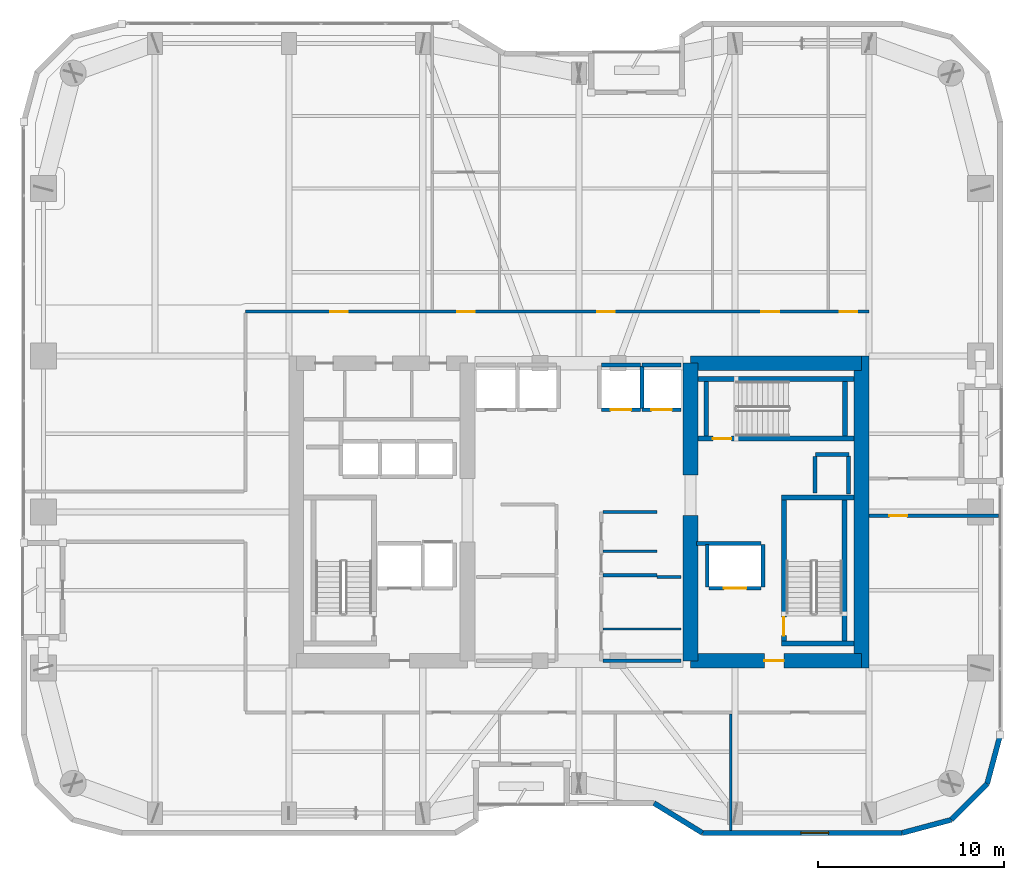
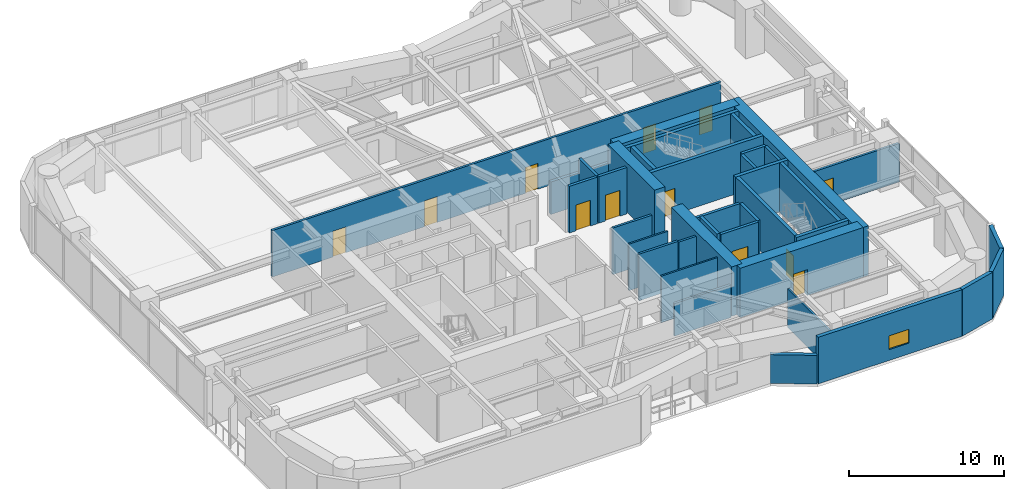
# One storey, part 26 of 30: 39 walls, 12 doors, 1 window, 13 openings.
"""IFC4 building model written with IfcOpenShell, lengths in metres."""

from ifc_helpers import new_model, si_unit, direction, frame, frame_2d, origin, place, context, subcontext, project, spatial, rectangle, extrude, material, layer, layer_set, type_object, element, fill, save


model = new_model("IFC4")

# Units and contexts
model_context = context("Model", 3, precision=1e-05, world=origin(), true_north=direction((0.0, 1.0)))
body_context = subcontext(model_context, "Body", "Model", "MODEL_VIEW")
ifc_project = project(units=[si_unit("LENGTHUNIT", "METRE"), si_unit("AREAUNIT", "SQUARE_METRE"), si_unit("VOLUMEUNIT", "CUBIC_METRE"), si_unit("PLANEANGLEUNIT", "RADIAN"), si_unit("MASSUNIT", "GRAM", prefix="KILO")], contexts=[model_context])

# Site, building, storey
site_placement = place(None, origin())
site = spatial("IfcSite", under=ifc_project, at=site_placement, CompositionType="ELEMENT")
building_placement = place(site_placement, origin())
building = spatial("IfcBuilding", under=site, at=building_placement, Name="Kiyonajd Concourse Tower", CompositionType="ELEMENT")
storey_placement = place(building_placement, frame((0.0, 0.0, 154.5)))
storey = spatial("IfcBuildingStorey", under=building, at=storey_placement, Name="L39", CompositionType="ELEMENT", Elevation=154.5)

# Walls
ifc_material_1 = material(Name="Concrete C70/85", Category="concrete")
ifc_layer_1 = layer(ifc_material_1, 0.800048828125)
ifc_layer_set_1 = layer_set([ifc_layer_1], Name="Concrete C70/85")
wall_type_1 = type_object("IfcWallType", Name="WL-CORE-800", PredefinedType="SHEAR", material=ifc_layer_set_1)
wall_1_placement = place(storey_placement, frame((54.0, 28.0, 0.0), z_axis=(0.0, 0.0, 1.0), x_axis=(0.0, 1.0, 0.0)))
element("IfcWall", 1, at=wall_1_placement, inside=storey, type_object=wall_type_1, Name="L39 East Core Inner South Shear Wall", PredefinedType="SHEAR", context=body_context, shape_type="SweptSolid", body=[
    extrude(rectangle(XDim=7.800048828125, YDim=0.800048828125, at=frame_2d((3.89990234375, 0.0))), origin(), (0.0, 0.0, 1.0), 3.89990234375),
])
wall_2_placement = place(storey_placement, frame((54.0, 38.0, 0.0), z_axis=(0.0, 0.0, 1.0), x_axis=(0.0, 1.0, 0.0)))
element("IfcWall", 2, at=wall_2_placement, inside=storey, type_object=wall_type_1, Name="L39 East Core Inner North Shear Wall", PredefinedType="SHEAR", context=body_context, shape_type="SweptSolid", body=[
    extrude(rectangle(XDim=6.0, YDim=0.800048828125, at=frame_2d((3.0, 0.0))), origin(), (0.0, 0.0, 1.0), 3.89990234375),
])
wall_3_placement = place(storey_placement, frame((63.199951171875, 27.60009765625, 0.0), z_axis=(0.0, 0.0, 1.0), x_axis=(0.0, 1.0, 0.0)))
element("IfcWall", 3, at=wall_3_placement, inside=storey, type_object=wall_type_1, Name="L39 East Core Outer Shear Wall", PredefinedType="SHEAR", context=body_context, shape_type="SweptSolid", body=[
    extrude(rectangle(XDim=16.7998046875, YDim=0.800048828125, at=frame_2d((8.39990234375, 0.0))), origin(), (0.0, 0.0, 1.0), 3.89990234375),
])

# Wall, opening, door
wall_4_placement = place(storey_placement, frame((54.0, 28.0, 0.0), z_axis=(0.0, 0.0, 1.0), x_axis=(1.0, 0.0, 0.0)))
wall_4 = element("IfcWall", 4, at=wall_4_placement, inside=storey, type_object=wall_type_1, Name="L39 East Core South Shear Wall", PredefinedType="SHEAR", context=body_context, shape_type="SweptSolid", body=[
    extrude(rectangle(XDim=9.199951171875, YDim=0.800048828125, at=frame_2d((4.60009765625, 0.0))), origin(), (0.0, 0.0, 1.0), 3.89990234375),
])
opening_1_placement = place(wall_4_placement, frame((3.97509765625, 0.0, 0.0)))
opening_1 = element("IfcOpeningElement", 5, at=opening_1_placement, cuts=wall_4, Name="Opening DF5", PredefinedType="OPENING", context=body_context, shape_type="SweptSolid", body=[
    extrude(rectangle(XDim=1.050048828125, YDim=2.0400390625, at=frame_2d((0.52490234375, 1.02001953125))), frame((0.0, 0.409912109375, 0.0), z_axis=(0.0, -1.0, 0.0), x_axis=(1.0, 0.0, 0.0)), (0.0, 0.0, 1.0), 0.820068359375),
])
ifc_material_2 = material(Name="Brushed Stainless Steel Cab Assembly", Category="steel")
door_type_1 = type_object("IfcDoorType", Name="DR-FD45-1050", OperationType="NOTDEFINED", PredefinedType="DOOR", material=ifc_material_2)
door_1_placement = place(opening_1_placement, origin())
door_1 = element("IfcDoor", 6, at=door_1_placement, inside=storey, type_object=door_type_1, Name="L39 Firefighting Lift Lobby E Smoke Door", OperationType="SINGLE_SWING_RIGHT", OverallHeight=2.0400390625, OverallWidth=1.050048828125, PredefinedType="DOOR", context=body_context, shape_type="SweptSolid", body=[
    extrude(rectangle(XDim=1.050048828125, YDim=2.0400390625, at=frame_2d((0.52490234375, 1.02001953125))), frame((0.0, 0.02490234375, 0.0), z_axis=(0.0, -1.0, 0.0), x_axis=(1.0, 0.0, 0.0)), (0.0, 0.0, 1.0), 0.050048828125),
])
fill(opening_1, door_1)

# Walls
wall_5_placement = place(storey_placement, frame((54.0, 44.0, 0.0), z_axis=(0.0, 0.0, 1.0), x_axis=(1.0, 0.0, 0.0)))
element("IfcWall", 7, at=wall_5_placement, inside=storey, type_object=wall_type_1, Name="L39 East Core North Shear Wall", PredefinedType="SHEAR", context=body_context, shape_type="SweptSolid", body=[
    extrude(rectangle(XDim=9.199951171875, YDim=0.800048828125, at=frame_2d((4.60009765625, 0.0))), origin(), (0.0, 0.0, 1.0), 3.89990234375),
])
ifc_material_3 = material(Name="Precast concrete C50/60", Category="concrete")
ifc_layer_2 = layer(ifc_material_3, 0.280029296875)
ifc_layer_set_2 = layer_set([ifc_layer_2], Name="Precast concrete C50/60")
wall_type_2 = type_object("IfcWallType", Name="WL-EXT-280", PredefinedType="SOLIDWALL", material=ifc_layer_set_2)
wall_6_placement = place(storey_placement, frame((70.659912109375, 24.018310546875, 0.0), z_axis=(0.0, 0.0, 1.0), x_axis=(-0.258672222976, -0.9659651552, 0.0)))
element("IfcWall", 8, at=wall_6_placement, inside=storey, type_object=wall_type_2, Name="L39 Exterior Concrete Frame Wall 25", PredefinedType="SOLIDWALL", context=body_context, shape_type="SweptSolid", body=[
    extrude(rectangle(XDim=2.739013671875, YDim=0.280029296875, at=frame_2d((1.36962890625, 0.0))), origin(), (0.0, 0.0, 1.0), 3.679931640625),
])
wall_7_placement = place(storey_placement, frame((69.951416015625, 21.37255859375, 0.0), z_axis=(0.0, 0.0, 1.0), x_axis=(-0.707061915429, -0.707151644098, 0.0)))
element("IfcWall", 9, at=wall_7_placement, inside=storey, type_object=wall_type_2, Name="L39 Exterior Concrete Frame Wall 26", PredefinedType="SOLIDWALL", context=body_context, shape_type="SweptSolid", body=[
    extrude(rectangle(XDim=2.720947265625, YDim=0.280029296875, at=frame_2d((1.3603515625, 0.0))), origin(), (0.0, 0.0, 1.0), 3.679931640625),
])
wall_8_placement = place(storey_placement, frame((68.027587890625, 19.448486328125, 0.0), z_axis=(0.0, 0.0, 1.0), x_axis=(-0.965971118627, -0.258649952598, 0.0)))
element("IfcWall", 10, at=wall_8_placement, inside=storey, type_object=wall_type_2, Name="L39 Exterior Concrete Frame Wall 27", PredefinedType="SOLIDWALL", context=body_context, shape_type="SweptSolid", body=[
    extrude(rectangle(XDim=2.7392578125, YDim=0.280029296875, at=frame_2d((1.36962890625, 0.0))), origin(), (0.0, 0.0, 1.0), 3.679931640625),
])

# Wall, opening, window
wall_9_placement = place(storey_placement, frame((65.381591796875, 18.739990234375, 0.0), z_axis=(0.0, 0.0, 1.0), x_axis=(-1.0, 0.0, 0.0)))
wall_9 = element("IfcWall", 11, at=wall_9_placement, inside=storey, type_object=wall_type_2, Name="L39 Exterior Concrete Frame Wall 28", PredefinedType="SOLIDWALL", context=body_context, shape_type="SweptSolid", body=[
    extrude(rectangle(XDim=10.741943359375, YDim=0.280029296875, at=frame_2d((5.37109375, 0.0))), origin(), (0.0, 0.0, 1.0), 3.679931640625),
])
opening_2_placement = place(wall_9_placement, frame((3.950927734375, 0.0, 0.85009765625)))
opening_2 = element("IfcOpeningElement", 12, at=opening_2_placement, cuts=wall_9, Name="Opening WN2", PredefinedType="OPENING", context=body_context, shape_type="SweptSolid", body=[
    extrude(rectangle(XDim=1.5, YDim=1.10009765625, at=frame_2d((0.75, 0.550048828125))), frame((0.0, 0.14990234375, 0.0), z_axis=(0.0, -1.0, 0.0), x_axis=(1.0, 0.0, 0.0)), (0.0, 0.0, 1.0), 0.300048828125),
])
ifc_material_4 = material(Name="Double Low-E Insulated Glass", Category="glass")
window_type = type_object("IfcWindowType", Name="WN-VIS-1500x1100", PartitioningType="SINGLE_PANEL", PredefinedType="WINDOW", material=ifc_material_4)
window_placement = place(opening_2_placement, origin())
window = element("IfcWindow", 13, at=window_placement, inside=storey, type_object=window_type, Name="L39 Modular Facade Vision Window 28", OverallHeight=1.10009765625, OverallWidth=1.5, PartitioningType="SINGLE_PANEL", PredefinedType="WINDOW", context=body_context, shape_type="SweptSolid", body=[
    extrude(rectangle(XDim=1.5, YDim=1.10009765625, at=frame_2d((0.75, 0.550048828125))), frame((0.0, 0.030029296875, 0.0), z_axis=(0.0, -1.0, 0.0), x_axis=(1.0, 0.0, 0.0)), (0.0, 0.0, 1.0), 0.06005859375),
])
fill(opening_2, window)

# Walls
wall_10_placement = place(storey_placement, frame((54.6396484375, 18.739990234375, 0.0), z_axis=(0.0, 0.0, 1.0), x_axis=(-0.851652825334, 0.524106349037, 0.0)))
element("IfcWall", 14, at=wall_10_placement, inside=storey, type_object=wall_type_2, Name="L39 Exterior Concrete Frame Wall 29", PredefinedType="SOLIDWALL", context=body_context, shape_type="SweptSolid", body=[
    extrude(rectangle(XDim=3.052978515625, YDim=0.280029296875, at=frame_2d((1.5263671875, 0.0))), origin(), (0.0, 0.0, 1.0), 2.264892578125),
])
ifc_material_5 = material(Name="Gypsum Board on Cold-Formed Steel Stud", Category="steel")
ifc_layer_3 = layer(ifc_material_5, 0.125)
ifc_layer_set_3 = layer_set([ifc_layer_3], Name="Gypsum Board on Cold-Formed Steel Stud")
wall_type_3 = type_object("IfcWallType", Name="WL-PART-125", PredefinedType="PARTITIONING", material=ifc_layer_set_3)
wall_11_placement = place(storey_placement, frame((49.287109375, 33.89208984375, 0.0), z_axis=(0.0, 0.0, 1.0), x_axis=(1.0, 0.0, 0.0)))
element("IfcWall", 15, at=wall_11_placement, inside=storey, type_object=wall_type_3, Name="L39 Interior Partition Wall", PredefinedType="PARTITIONING", context=body_context, shape_type="SweptSolid", body=[
    extrude(rectangle(XDim=2.912841796875, YDim=0.125, at=frame_2d((1.45654296875, 0.0))), origin(), (0.0, 0.0, 1.0), 3.679931640625),
])
wall_12_placement = place(storey_placement, frame((49.287109375, 29.7099609375, 0.0), z_axis=(0.0, 0.0, 1.0), x_axis=(1.0, 0.0, 0.0)))
element("IfcWall", 16, at=wall_12_placement, inside=storey, type_object=wall_type_3, Name="L39 Interior Partition Wall", PredefinedType="PARTITIONING", context=body_context, shape_type="SweptSolid", body=[
    extrude(rectangle(XDim=4.212890625, YDim=0.125, at=frame_2d((2.1064453125, 0.0))), origin(), (0.0, 0.0, 1.0), 3.679931640625),
])
wall_13_placement = place(storey_placement, frame((56.169921875, 18.875, 0.0), z_axis=(0.0, 0.0, 1.0), x_axis=(0.0, 1.0, 0.0)))
element("IfcWall", 17, at=wall_13_placement, inside=storey, type_object=wall_type_3, Name="L39 Interior Partition Wall", PredefinedType="PARTITIONING", context=body_context, shape_type="SweptSolid", body=[
    extrude(rectangle(XDim=6.258056640625, YDim=0.125, at=frame_2d((3.12890625, 0.0))), origin(), (0.0, 0.0, 1.0), 3.04296875),
])
ifc_layer_4 = layer(ifc_material_5, 0.2099609375)
ifc_layer_set_4 = layer_set([ifc_layer_4], Name="Gypsum Board on Cold-Formed Steel Stud")
wall_type_4 = type_object("IfcWallType", Name="WL-SHAFT-210", PredefinedType="PARTITIONING", material=ifc_layer_set_4)
wall_14_placement = place(storey_placement, frame((60.719970703125, 39.10009765625, 0.0), z_axis=(0.0, 0.0, 1.0), x_axis=(1.0, 0.0, 0.0)))
element("IfcWall", 18, at=wall_14_placement, inside=storey, type_object=wall_type_4, Name="L39 Shaft Enclosure Wall", PredefinedType="PARTITIONING", context=body_context, shape_type="SweptSolid", body=[
    extrude(rectangle(XDim=1.800048828125, YDim=0.2099609375, at=frame_2d((0.89990234375, 0.0))), origin(), (0.0, 0.0, 1.0), 3.679931640625),
])
wall_15_placement = place(storey_placement, frame((60.699951171875, 37.02001953125, 0.0), z_axis=(0.0, 0.0, 1.0), x_axis=(0.0, 1.0, 0.0)))
element("IfcWall", 19, at=wall_15_placement, inside=storey, type_object=wall_type_4, Name="L39 Shaft Enclosure Wall", PredefinedType="PARTITIONING", context=body_context, shape_type="SweptSolid", body=[
    extrude(rectangle(XDim=1.9599609375, YDim=0.2099609375, at=frame_2d((0.97998046875, 0.0))), origin(), (0.0, 0.0, 1.0), 3.679931640625),
])
wall_16_placement = place(storey_placement, frame((62.5, 36.97998046875, 0.0), z_axis=(0.0, 0.0, 1.0), x_axis=(0.0, 1.0, 0.0)))
element("IfcWall", 20, at=wall_16_placement, inside=storey, type_object=wall_type_4, Name="L39 Shaft Enclosure Wall", PredefinedType="PARTITIONING", context=body_context, shape_type="SweptSolid", body=[
    extrude(rectangle(XDim=2.0400390625, YDim=0.2099609375, at=frame_2d((1.02001953125, 0.0))), origin(), (0.0, 0.0, 1.0), 3.679931640625),
])

# Wall, opening, door
wall_17_placement = place(storey_placement, frame((55.0, 31.89990234375, 0.0), z_axis=(0.0, 0.0, 1.0), x_axis=(1.0, 0.0, 0.0)))
wall_17 = element("IfcWall", 21, at=wall_17_placement, inside=storey, type_object=wall_type_4, Name="L39 Shaft Enclosure Wall", PredefinedType="PARTITIONING", context=body_context, shape_type="SweptSolid", body=[
    extrude(rectangle(XDim=2.800048828125, YDim=0.2099609375, at=frame_2d((1.39990234375, 0.0))), origin(), (0.0, 0.0, 1.0), 3.679931640625),
])
opening_3_placement = place(wall_17_placement, frame((0.800048828125, 0.0, 0.0)))
opening_3 = element("IfcOpeningElement", 22, at=opening_3_placement, cuts=wall_17, Name="Opening LD2", PredefinedType="OPENING", context=body_context, shape_type="SweptSolid", body=[
    extrude(rectangle(XDim=1.199951171875, YDim=2.0400390625, at=frame_2d((0.60009765625, 1.02001953125))), frame((0.0, 0.114990234375, 0.0), z_axis=(0.0, -1.0, 0.0), x_axis=(1.0, 0.0, 0.0)), (0.0, 0.0, 1.0), 0.22998046875),
])
door_type_2 = type_object("IfcDoorType", Name="DR-LD-1200", OperationType="DOUBLE_DOOR_SLIDING", PredefinedType="DOOR", material=ifc_material_2)
door_2_placement = place(opening_3_placement, origin())
door_2 = element("IfcDoor", 23, at=door_2_placement, inside=storey, type_object=door_type_2, Name="L39 Lift FFL2 Sliding Landing Door", OperationType="DOUBLE_DOOR_SLIDING", OverallHeight=2.0400390625, OverallWidth=1.199951171875, PredefinedType="DOOR", context=body_context, shape_type="SweptSolid", body=[
    extrude(rectangle(XDim=1.199951171875, YDim=2.0400390625, at=frame_2d((0.60009765625, 1.02001953125))), frame((0.0, 0.02490234375, 0.0), z_axis=(0.0, -1.0, 0.0), x_axis=(1.0, 0.0, 0.0)), (0.0, 0.0, 1.0), 0.050048828125),
])
fill(opening_3, door_2)

# Walls
wall_18_placement = place(storey_placement, frame((54.320068359375, 34.300048828125, 0.0), z_axis=(0.0, 0.0, 1.0), x_axis=(1.0, 0.0, 0.0)))
element("IfcWall", 24, at=wall_18_placement, inside=storey, type_object=wall_type_4, Name="L39 Shaft Enclosure Wall", PredefinedType="PARTITIONING", context=body_context, shape_type="SweptSolid", body=[
    extrude(rectangle(XDim=3.47998046875, YDim=0.2099609375, at=frame_2d((1.739990234375, 0.0))), origin(), (0.0, 0.0, 1.0), 3.679931640625),
])
for number, where, z_axis, x_axis, name in (
    (25, (54.89990234375, 31.9599609375, 0.0), (0.0, 0.0, 1.0), (0.0, 1.0, 0.0), "L39 Shaft Enclosure Wall"),
    (26, (57.89990234375, 31.9599609375, 0.0), (0.0, 0.0, 1.0), (0.0, 1.0, 0.0), "L39 Shaft Enclosure Wall"),
):
    element("IfcWall", number, at=place(storey_placement, frame(where, z_axis=z_axis, x_axis=x_axis)), inside=storey, type_object=wall_type_4, Name=name, PredefinedType="PARTITIONING", context=body_context, shape_type="SweptSolid", body=[
        extrude(rectangle(XDim=2.280029296875, YDim=0.2099609375, at=frame_2d((1.14013671875, 0.0))), origin(), (0.0, 0.0, 1.0), 3.679931640625),
    ])

# Wall, opening, door
wall_19_placement = place(storey_placement, frame((49.199951171875, 41.5, 0.0), z_axis=(0.0, 0.0, 1.0), x_axis=(1.0, 0.0, 0.0)))
wall_19 = element("IfcWall", 27, at=wall_19_placement, inside=storey, type_object=wall_type_4, Name="L39 Shaft Enclosure Wall", PredefinedType="PARTITIONING", context=body_context, shape_type="SweptSolid", body=[
    extrude(rectangle(XDim=2.10009765625, YDim=0.2099609375, at=frame_2d((1.050048828125, 0.0))), origin(), (0.0, 0.0, 1.0), 3.679931640625),
])
opening_4_placement = place(wall_19_placement, frame((0.5, 0.0, 0.0)))
opening_4 = element("IfcOpeningElement", 28, at=opening_4_placement, cuts=wall_19, Name="Opening LD1", PredefinedType="OPENING", context=body_context, shape_type="SweptSolid", body=[
    extrude(rectangle(XDim=1.10009765625, YDim=2.0400390625, at=frame_2d((0.550048828125, 1.02001953125))), frame((0.0, 0.114990234375, 0.0), z_axis=(0.0, -1.0, 0.0), x_axis=(1.0, 0.0, 0.0)), (0.0, 0.0, 1.0), 0.22998046875),
])
door_type_3 = type_object("IfcDoorType", Name="DR-LD-1100", OperationType="DOUBLE_DOOR_SLIDING", PredefinedType="DOOR", material=ifc_material_2)
door_3_placement = place(opening_4_placement, origin())
door_3 = element("IfcDoor", 29, at=door_3_placement, inside=storey, type_object=door_type_3, Name="L39 Lift PL-M3 Sliding Landing Door", OperationType="DOUBLE_DOOR_SLIDING", OverallHeight=2.0400390625, OverallWidth=1.10009765625, PredefinedType="DOOR", context=body_context, shape_type="SweptSolid", body=[
    extrude(rectangle(XDim=1.10009765625, YDim=2.0400390625, at=frame_2d((0.550048828125, 1.02001953125))), frame((0.0, 0.02490234375, 0.0), z_axis=(0.0, -1.0, 0.0), x_axis=(1.0, 0.0, 0.0)), (0.0, 0.0, 1.0), 0.050048828125),
])
fill(opening_4, door_3)

# Walls
wall_20_placement = place(storey_placement, frame((49.199951171875, 43.89990234375, 0.0), z_axis=(0.0, 0.0, 1.0), x_axis=(1.0, 0.0, 0.0)))
element("IfcWall", 30, at=wall_20_placement, inside=storey, type_object=wall_type_4, Name="L39 Shaft Enclosure Wall", PredefinedType="PARTITIONING", context=body_context, shape_type="SweptSolid", body=[
    extrude(rectangle(XDim=2.10009765625, YDim=0.2099609375, at=frame_2d((1.050048828125, 0.0))), origin(), (0.0, 0.0, 1.0), 2.56494140625),
])
wall_21_placement = place(storey_placement, frame((51.39990234375, 41.56005859375, 0.0), z_axis=(0.0, 0.0, 1.0), x_axis=(0.0, 1.0, 0.0)))
element("IfcWall", 31, at=wall_21_placement, inside=storey, type_object=wall_type_4, Name="L39 Shaft Enclosure Wall", PredefinedType="PARTITIONING", context=body_context, shape_type="SweptSolid", body=[
    extrude(rectangle(XDim=2.280029296875, YDim=0.2099609375, at=frame_2d((1.14013671875, 0.0))), origin(), (0.0, 0.0, 1.0), 3.679931640625),
])

# Wall, opening, door
wall_22_placement = place(storey_placement, frame((51.39990234375, 41.5, 0.0), z_axis=(0.0, 0.0, 1.0), x_axis=(1.0, 0.0, 0.0)))
wall_22 = element("IfcWall", 32, at=wall_22_placement, inside=storey, type_object=wall_type_4, Name="L39 Shaft Enclosure Wall", PredefinedType="PARTITIONING", context=body_context, shape_type="SweptSolid", body=[
    extrude(rectangle(XDim=2.10009765625, YDim=0.2099609375, at=frame_2d((1.050048828125, 0.0))), origin(), (0.0, 0.0, 1.0), 3.679931640625),
])
opening_5_placement = place(wall_22_placement, frame((0.5, 0.0, 0.0)))
opening_5 = element("IfcOpeningElement", 33, at=opening_5_placement, cuts=wall_22, Name="Opening LD1", PredefinedType="OPENING", context=body_context, shape_type="SweptSolid", body=[
    extrude(rectangle(XDim=1.10009765625, YDim=2.0400390625, at=frame_2d((0.550048828125, 1.02001953125))), frame((0.0, 0.114990234375, 0.0), z_axis=(0.0, -1.0, 0.0), x_axis=(1.0, 0.0, 0.0)), (0.0, 0.0, 1.0), 0.22998046875),
])
door_4_placement = place(opening_5_placement, origin())
door_4 = element("IfcDoor", 34, at=door_4_placement, inside=storey, type_object=door_type_3, Name="L39 Lift PL-M4 Sliding Landing Door", OperationType="DOUBLE_DOOR_SLIDING", OverallHeight=2.0400390625, OverallWidth=1.10009765625, PredefinedType="DOOR", context=body_context, shape_type="SweptSolid", body=[
    extrude(rectangle(XDim=1.10009765625, YDim=2.0400390625, at=frame_2d((0.550048828125, 1.02001953125))), frame((0.0, 0.02490234375, 0.0), z_axis=(0.0, -1.0, 0.0), x_axis=(1.0, 0.0, 0.0)), (0.0, 0.0, 1.0), 0.050048828125),
])
fill(opening_5, door_4)

# Walls
wall_23_placement = place(storey_placement, frame((51.39990234375, 43.89990234375, 0.0), z_axis=(0.0, 0.0, 1.0), x_axis=(1.0, 0.0, 0.0)))
element("IfcWall", 35, at=wall_23_placement, inside=storey, type_object=wall_type_4, Name="L39 Shaft Enclosure Wall", PredefinedType="PARTITIONING", context=body_context, shape_type="SweptSolid", body=[
    extrude(rectangle(XDim=2.10009765625, YDim=0.2099609375, at=frame_2d((1.050048828125, 0.0))), origin(), (0.0, 0.0, 1.0), 2.56494140625),
])
ifc_layer_5 = layer(ifc_material_5, 0.169921875)
ifc_layer_set_5 = layer_set([ifc_layer_5], Name="Gypsum Board on Cold-Formed Steel Stud")
wall_type_5 = type_object("IfcWallType", Name="WL-SMK-170", PredefinedType="PARTITIONING", material=ifc_layer_set_5)
for number, where, z_axis, x_axis, name in (
    (36, (49.287109375, 32.60009765625, 0.0), (0.0, 0.0, 1.0), (1.0, 0.0, 0.0), "L39 Interior Partition Wall"),
    (37, (49.287109375, 36.0, 0.0), (0.0, 0.0, 1.0), (1.0, 0.0, 0.0), "L39 Interior Partition Wall"),
):
    element("IfcWall", number, at=place(storey_placement, frame(where, z_axis=z_axis, x_axis=x_axis)), inside=storey, type_object=wall_type_5, Name=name, PredefinedType="PARTITIONING", context=body_context, shape_type="SweptSolid", body=[
        extrude(rectangle(XDim=2.912841796875, YDim=0.169921875, at=frame_2d((1.45654296875, 0.0))), origin(), (0.0, 0.0, 1.0), 3.679931640625),
    ])
wall_24_placement = place(storey_placement, frame((49.287109375, 28.0, 0.0), z_axis=(0.0, 0.0, 1.0), x_axis=(1.0, 0.0, 0.0)))
element("IfcWall", 38, at=wall_24_placement, inside=storey, type_object=wall_type_5, Name="L39 Interior Partition Wall", PredefinedType="PARTITIONING", context=body_context, shape_type="SweptSolid", body=[
    extrude(rectangle(XDim=4.212890625, YDim=0.169921875, at=frame_2d((2.1064453125, 0.0))), origin(), (0.0, 0.0, 1.0), 2.56494140625),
])
wall_25_placement = place(storey_placement, frame((52.199951171875, 32.5, 0.0), z_axis=(0.0, 0.0, 1.0), x_axis=(1.0, 0.0, 0.0)))
element("IfcWall", 39, at=wall_25_placement, inside=storey, type_object=wall_type_5, Name="L39 Interior Partition Wall", PredefinedType="PARTITIONING", context=body_context, shape_type="SweptSolid", body=[
    extrude(rectangle(XDim=1.300048828125, YDim=0.169921875, at=frame_2d((0.64990234375, 0.0))), origin(), (0.0, 0.0, 1.0), 3.679931640625),
])

# Wall, openings, doors
wall_26_placement = place(storey_placement, frame((30.074951171875, 46.780029296875, 0.0), z_axis=(0.0, 0.0, 1.0), x_axis=(1.0, 0.0, 0.0)))
wall_26 = element("IfcWall", 40, at=wall_26_placement, inside=storey, type_object=wall_type_5, Name="L39 Interior Partition Wall", PredefinedType="PARTITIONING", context=body_context, shape_type="SweptSolid", body=[
    extrude(rectangle(XDim=33.525146484375, YDim=0.169921875, at=frame_2d((16.7626953125, 0.0))), origin(), (0.0, 0.0, 1.0), 3.679931640625),
])
opening_6_placement = place(wall_26_placement, frame((4.54296875, 0.0, 0.0)))
opening_6 = element("IfcOpeningElement", 41, at=opening_6_placement, cuts=wall_26, Name="Opening DI1", PredefinedType="OPENING", context=body_context, shape_type="SweptSolid", body=[
    extrude(rectangle(XDim=0.949951171875, YDim=2.0400390625, at=frame_2d((0.47509765625, 1.02001953125))), frame((0.0, 0.094970703125, 0.0), z_axis=(0.0, -1.0, 0.0), x_axis=(1.0, 0.0, 0.0)), (0.0, 0.0, 1.0), 0.18994140625),
])
opening_7_placement = place(wall_26_placement, frame((11.3701171875, 0.0, 0.0)))
opening_7 = element("IfcOpeningElement", 42, at=opening_7_placement, cuts=wall_26, Name="Opening DI1", PredefinedType="OPENING", context=body_context, shape_type="SweptSolid", body=[
    extrude(rectangle(XDim=0.949951171875, YDim=2.0400390625, at=frame_2d((0.47509765625, 1.02001953125))), frame((0.0, 0.094970703125, 0.0), z_axis=(0.0, -1.0, 0.0), x_axis=(1.0, 0.0, 0.0)), (0.0, 0.0, 1.0), 0.18994140625),
])
opening_8_placement = place(wall_26_placement, frame((18.905029296875, 0.0, 0.0)))
opening_8 = element("IfcOpeningElement", 43, at=opening_8_placement, cuts=wall_26, Name="Opening DI1", PredefinedType="OPENING", context=body_context, shape_type="SweptSolid", body=[
    extrude(rectangle(XDim=0.949951171875, YDim=2.0400390625, at=frame_2d((0.47509765625, 1.02001953125))), frame((0.0, 0.094970703125, 0.0), z_axis=(0.0, -1.0, 0.0), x_axis=(1.0, 0.0, 0.0)), (0.0, 0.0, 1.0), 0.18994140625),
])
opening_9_placement = place(wall_26_placement, frame((27.739990234375, 0.0, 0.0)))
opening_9 = element("IfcOpeningElement", 44, at=opening_9_placement, cuts=wall_26, Name="Opening DI1", PredefinedType="OPENING", context=body_context, shape_type="SweptSolid", body=[
    extrude(rectangle(XDim=0.949951171875, YDim=2.0400390625, at=frame_2d((0.47509765625, 1.02001953125))), frame((0.0, 0.094970703125, 0.0), z_axis=(0.0, -1.0, 0.0), x_axis=(1.0, 0.0, 0.0)), (0.0, 0.0, 1.0), 0.18994140625),
])
opening_10_placement = place(wall_26_placement, frame((31.949951171875, 0.0, 0.0)))
opening_10 = element("IfcOpeningElement", 45, at=opening_10_placement, cuts=wall_26, Name="Opening DI1", PredefinedType="OPENING", context=body_context, shape_type="SweptSolid", body=[
    extrude(rectangle(XDim=0.949951171875, YDim=2.0400390625, at=frame_2d((0.47509765625, 1.02001953125))), frame((0.0, 0.094970703125, 0.0), z_axis=(0.0, -1.0, 0.0), x_axis=(1.0, 0.0, 0.0)), (0.0, 0.0, 1.0), 0.18994140625),
])
ifc_material_6 = material(Name="Natural Oak Acoustic Timber Veneer", Category="wood")
door_type_4 = type_object("IfcDoorType", Name="DR-INT-950", OperationType="NOTDEFINED", PredefinedType="DOOR", material=ifc_material_6)
door_5_placement = place(opening_6_placement, origin())
door_5 = element("IfcDoor", 46, at=door_5_placement, inside=storey, type_object=door_type_4, Name="L39 Interior Door", OperationType="SINGLE_SWING_RIGHT", OverallHeight=2.0400390625, OverallWidth=0.949951171875, PredefinedType="DOOR", context=body_context, shape_type="SweptSolid", body=[
    extrude(rectangle(XDim=0.949951171875, YDim=2.0400390625, at=frame_2d((0.47509765625, 1.02001953125))), frame((0.0, 0.02490234375, 0.0), z_axis=(0.0, -1.0, 0.0), x_axis=(1.0, 0.0, 0.0)), (0.0, 0.0, 1.0), 0.050048828125),
])
fill(opening_6, door_5)
door_6_placement = place(opening_7_placement, origin())
door_6 = element("IfcDoor", 47, at=door_6_placement, inside=storey, type_object=door_type_4, Name="L39 Interior Door", OperationType="SINGLE_SWING_RIGHT", OverallHeight=2.0400390625, OverallWidth=0.949951171875, PredefinedType="DOOR", context=body_context, shape_type="SweptSolid", body=[
    extrude(rectangle(XDim=0.949951171875, YDim=2.0400390625, at=frame_2d((0.47509765625, 1.02001953125))), frame((0.0, 0.02490234375, 0.0), z_axis=(0.0, -1.0, 0.0), x_axis=(1.0, 0.0, 0.0)), (0.0, 0.0, 1.0), 0.050048828125),
])
fill(opening_7, door_6)
door_7_placement = place(opening_8_placement, origin())
door_7 = element("IfcDoor", 48, at=door_7_placement, inside=storey, type_object=door_type_4, Name="L39 Interior Door", OperationType="SINGLE_SWING_LEFT", OverallHeight=2.0400390625, OverallWidth=0.949951171875, PredefinedType="DOOR", context=body_context, shape_type="SweptSolid", body=[
    extrude(rectangle(XDim=0.949951171875, YDim=2.0400390625, at=frame_2d((0.47509765625, 1.02001953125))), frame((0.0, 0.02490234375, 0.0), z_axis=(0.0, -1.0, 0.0), x_axis=(1.0, 0.0, 0.0)), (0.0, 0.0, 1.0), 0.050048828125),
])
fill(opening_8, door_7)
door_8_placement = place(opening_9_placement, origin())
door_8 = element("IfcDoor", 49, at=door_8_placement, inside=storey, type_object=door_type_4, Name="L39 Interior Door", OperationType="SINGLE_SWING_LEFT", OverallHeight=2.0400390625, OverallWidth=0.949951171875, PredefinedType="DOOR", context=body_context, shape_type="SweptSolid", body=[
    extrude(rectangle(XDim=0.949951171875, YDim=2.0400390625, at=frame_2d((0.47509765625, 1.02001953125))), frame((0.0, 0.02490234375, 0.0), z_axis=(0.0, -1.0, 0.0), x_axis=(1.0, 0.0, 0.0)), (0.0, 0.0, 1.0), 0.050048828125),
])
fill(opening_9, door_8)
door_9_placement = place(opening_10_placement, origin())
door_9 = element("IfcDoor", 50, at=door_9_placement, inside=storey, type_object=door_type_4, Name="L39 Interior Door", OperationType="SINGLE_SWING_RIGHT", OverallHeight=2.0400390625, OverallWidth=0.949951171875, PredefinedType="DOOR", context=body_context, shape_type="SweptSolid", body=[
    extrude(rectangle(XDim=0.949951171875, YDim=2.0400390625, at=frame_2d((0.47509765625, 1.02001953125))), frame((0.0, 0.02490234375, 0.0), z_axis=(0.0, -1.0, 0.0), x_axis=(1.0, 0.0, 0.0)), (0.0, 0.0, 1.0), 0.050048828125),
])
fill(opening_10, door_9)

# Wall, opening, door
wall_27_placement = place(storey_placement, frame((63.60009765625, 35.800048828125, 0.0), z_axis=(0.0, 0.0, 1.0), x_axis=(1.0, 0.0, 0.0)))
wall_27 = element("IfcWall", 51, at=wall_27_placement, inside=storey, type_object=wall_type_5, Name="L39 Interior Partition Wall", PredefinedType="PARTITIONING", context=body_context, shape_type="SweptSolid", body=[
    extrude(rectangle(XDim=6.974853515625, YDim=0.169921875, at=frame_2d((3.4873046875, 0.0))), origin(), (0.0, 0.0, 1.0), 3.04296875),
])
opening_11_placement = place(wall_27_placement, frame((1.10009765625, 0.0, 0.0)))
opening_11 = element("IfcOpeningElement", 52, at=opening_11_placement, cuts=wall_27, Name="Opening DI1", PredefinedType="OPENING", context=body_context, shape_type="SweptSolid", body=[
    extrude(rectangle(XDim=0.949951171875, YDim=2.0400390625, at=frame_2d((0.47509765625, 1.02001953125))), frame((0.0, 0.094970703125, 0.0), z_axis=(0.0, -1.0, 0.0), x_axis=(1.0, 0.0, 0.0)), (0.0, 0.0, 1.0), 0.18994140625),
])
door_10_placement = place(opening_11_placement, origin())
door_10 = element("IfcDoor", 53, at=door_10_placement, inside=storey, type_object=door_type_4, Name="L39 Interior Door", OperationType="SINGLE_SWING_LEFT", OverallHeight=2.0400390625, OverallWidth=0.949951171875, PredefinedType="DOOR", context=body_context, shape_type="SweptSolid", body=[
    extrude(rectangle(XDim=0.949951171875, YDim=2.0400390625, at=frame_2d((0.47509765625, 1.02001953125))), frame((0.0, 0.02490234375, 0.0), z_axis=(0.0, -1.0, 0.0), x_axis=(1.0, 0.0, 0.0)), (0.0, 0.0, 1.0), 0.050048828125),
])
fill(opening_11, door_10)

# Walls
ifc_material_7 = material(Name="Concrete C50/60", Category="concrete")
ifc_layer_6 = layer(ifc_material_7, 0.260009765625)
ifc_layer_set_6 = layer_set([ifc_layer_6], Name="Concrete C50/60")
wall_type_6 = type_object("IfcWallType", Name="WL-STAIR-260", PredefinedType="SHEAR", material=ifc_layer_set_6)
for number, where, z_axis, x_axis, name in (
    (54, (58.889892578125, 28.919921875, 0.0), (0.0, 0.0, 1.0), (1.0, 0.0, 0.0), "L39 Stair ST2 Structural South Wall"),
    (55, (58.889892578125, 36.780029296875, 0.0), (0.0, 0.0, 1.0), (1.0, 0.0, 0.0), "L39 Stair ST2 Structural North Wall"),
):
    element("IfcWall", number, at=place(storey_placement, frame(where, z_axis=z_axis, x_axis=x_axis)), inside=storey, type_object=wall_type_6, Name=name, PredefinedType="SHEAR", context=body_context, shape_type="SweptSolid", body=[
        extrude(rectangle(XDim=3.91015625, YDim=0.260009765625, at=frame_2d((1.955078125, 0.0))), origin(), (0.0, 0.0, 1.0), 3.89990234375),
    ])

# Wall, opening, door
wall_28_placement = place(storey_placement, frame((59.02001953125, 29.050048828125, 0.0), z_axis=(0.0, 0.0, 1.0), x_axis=(0.0, 1.0, 0.0)))
wall_28 = element("IfcWall", 56, at=wall_28_placement, inside=storey, type_object=wall_type_6, Name="L39 Stair ST2 Structural West Wall", PredefinedType="SHEAR", context=body_context, shape_type="SweptSolid", body=[
    extrude(rectangle(XDim=7.599853515625, YDim=0.260009765625, at=frame_2d((3.7998046875, 0.0))), origin(), (0.0, 0.0, 1.0), 3.89990234375),
])
opening_12_placement = place(wall_28_placement, frame((0.300048828125, 0.0, 0.0)))
opening_12 = element("IfcOpeningElement", 57, at=opening_12_placement, cuts=wall_28, Name="Opening DF1", PredefinedType="OPENING", context=body_context, shape_type="SweptSolid", body=[
    extrude(rectangle(XDim=1.0, YDim=2.0400390625, at=frame_2d((0.5, 1.02001953125))), frame((0.0, 0.139892578125, 0.0), z_axis=(0.0, -1.0, 0.0), x_axis=(1.0, 0.0, 0.0)), (0.0, 0.0, 1.0), 0.280029296875),
])
door_type_5 = type_object("IfcDoorType", Name="DR-FD90-1000", OperationType="NOTDEFINED", PredefinedType="DOOR", material=ifc_material_2)
door_11_placement = place(opening_12_placement, origin())
door_11 = element("IfcDoor", 58, at=door_11_placement, inside=storey, type_object=door_type_5, Name="L39 Stair ST2 FSAE Door", OperationType="SINGLE_SWING_RIGHT", OverallHeight=2.0400390625, OverallWidth=1.0, PredefinedType="DOOR", context=body_context, shape_type="SweptSolid", body=[
    extrude(rectangle(XDim=1.0, YDim=2.0400390625, at=frame_2d((0.5, 1.02001953125))), frame((0.0, 0.02490234375, 0.0), z_axis=(0.0, -1.0, 0.0), x_axis=(1.0, 0.0, 0.0)), (0.0, 0.0, 1.0), 0.050048828125),
])
fill(opening_12, door_11)

# Wall
wall_29_placement = place(storey_placement, frame((62.280029296875, 29.050048828125, 0.0), z_axis=(0.0, 0.0, 1.0), x_axis=(0.0, 1.0, 0.0)))
element("IfcWall", 59, at=wall_29_placement, inside=storey, type_object=wall_type_6, Name="L39 Stair ST2 Structural East Wall", PredefinedType="SHEAR", context=body_context, shape_type="SweptSolid", body=[
    extrude(rectangle(XDim=7.599853515625, YDim=0.260009765625, at=frame_2d((3.7998046875, 0.0))), origin(), (0.0, 0.0, 1.0), 3.89990234375),
])

# Wall, opening, door
wall_30_placement = place(storey_placement, frame((54.39990234375, 39.949951171875, 0.0), z_axis=(0.0, 0.0, 1.0), x_axis=(1.0, 0.0, 0.0)))
wall_30 = element("IfcWall", 60, at=wall_30_placement, inside=storey, type_object=wall_type_6, Name="L39 Stair ST3 Structural South Wall", PredefinedType="SHEAR", context=body_context, shape_type="SweptSolid", body=[
    extrude(rectangle(XDim=8.400146484375, YDim=0.260009765625, at=frame_2d((4.2001953125, 0.0))), origin(), (0.0, 0.0, 1.0), 3.89990234375),
])
opening_13_placement = place(wall_30_placement, frame((0.800048828125, 0.0, 0.0)))
opening_13 = element("IfcOpeningElement", 61, at=opening_13_placement, cuts=wall_30, Name="Opening DF1", PredefinedType="OPENING", context=body_context, shape_type="SweptSolid", body=[
    extrude(rectangle(XDim=1.0, YDim=2.0400390625, at=frame_2d((0.5, 1.02001953125))), frame((0.0, 0.139892578125, 0.0), z_axis=(0.0, -1.0, 0.0), x_axis=(1.0, 0.0, 0.0)), (0.0, 0.0, 1.0), 0.280029296875),
])
door_12_placement = place(opening_13_placement, origin())
door_12 = element("IfcDoor", 62, at=door_12_placement, inside=storey, type_object=door_type_5, Name="L39 Stair ST3 Enclosure Door", OperationType="SINGLE_SWING_LEFT", OverallHeight=2.0400390625, OverallWidth=1.0, PredefinedType="DOOR", context=body_context, shape_type="SweptSolid", body=[
    extrude(rectangle(XDim=1.0, YDim=2.0400390625, at=frame_2d((0.5, 1.02001953125))), frame((0.0, 0.02490234375, 0.0), z_axis=(0.0, -1.0, 0.0), x_axis=(1.0, 0.0, 0.0)), (0.0, 0.0, 1.0), 0.050048828125),
])
fill(opening_13, door_12)

# Walls
wall_31_placement = place(storey_placement, frame((54.39990234375, 43.14990234375, 0.0), z_axis=(0.0, 0.0, 1.0), x_axis=(1.0, 0.0, 0.0)))
element("IfcWall", 63, at=wall_31_placement, inside=storey, type_object=wall_type_6, Name="L39 Stair ST3 Structural North Wall", PredefinedType="SHEAR", context=body_context, shape_type="SweptSolid", body=[
    extrude(rectangle(XDim=8.400146484375, YDim=0.260009765625, at=frame_2d((4.2001953125, 0.0))), origin(), (0.0, 0.0, 1.0), 3.89990234375),
])
for number, where, z_axis, x_axis, name in (
    (64, (54.85009765625, 40.080078125, 0.0), (0.0, 0.0, 1.0), (0.0, 1.0, 0.0), "L39 Stair ST3 Structural West Wall"),
    (65, (62.31005859375, 40.080078125, 0.0), (0.0, 0.0, 1.0), (0.0, 1.0, 0.0), "L39 Stair ST3 Structural East Wall"),
):
    element("IfcWall", number, at=place(storey_placement, frame(where, z_axis=z_axis, x_axis=x_axis)), inside=storey, type_object=wall_type_6, Name=name, PredefinedType="SHEAR", context=body_context, shape_type="SweptSolid", body=[
        extrude(rectangle(XDim=2.93994140625, YDim=0.260009765625, at=frame_2d((1.469970703125, 0.0))), origin(), (0.0, 0.0, 1.0), 3.89990234375),
    ])

save(model, "model.ifc")
